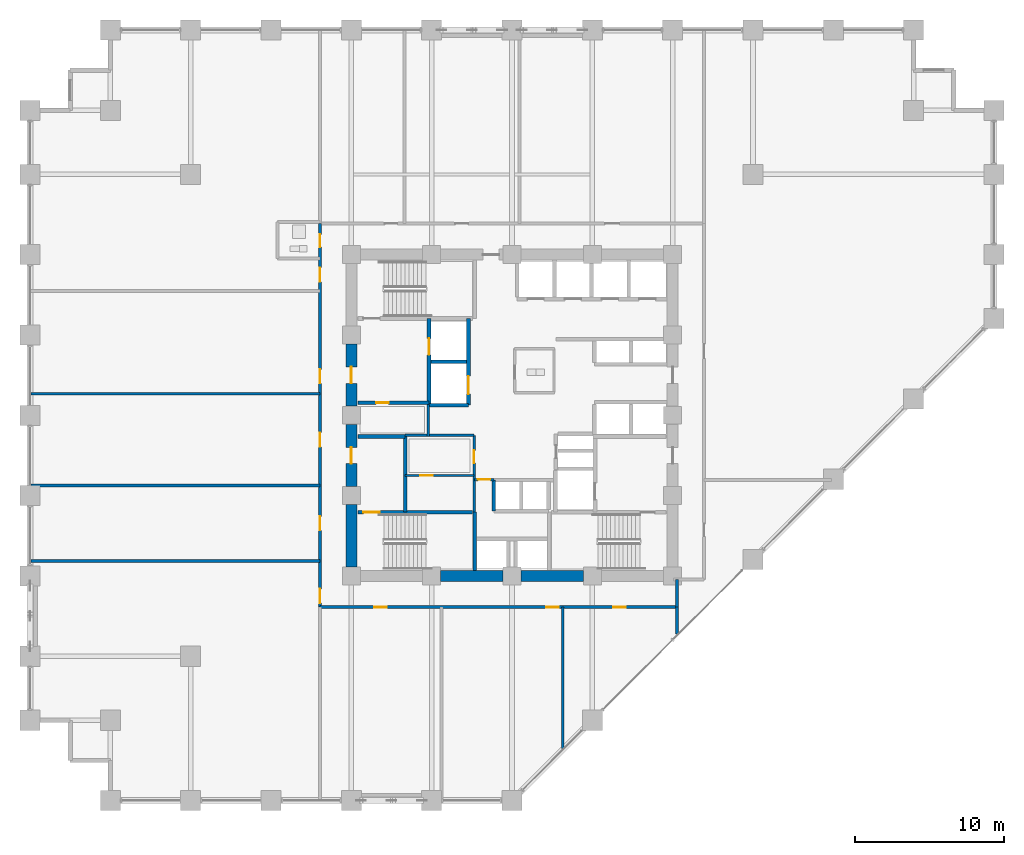
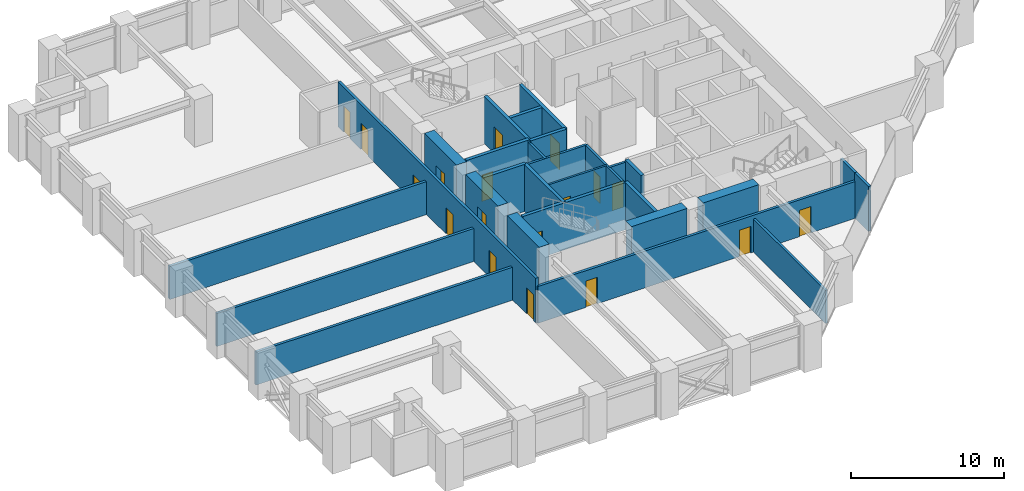
# One storey, part 20 of 24: 28 walls, 18 doors, 18 openings.
"""IFC4 building model written with IfcOpenShell, lengths in metres."""

from ifc_helpers import new_model, si_unit, direction, frame, frame_2d, origin, place, context, subcontext, project, spatial, rectangle, extrude, material, layer, layer_set, type_object, element, fill, save


model = new_model("IFC4")

# Units and contexts
model_context = context("Model", 3, precision=1e-05, world=origin(), true_north=direction((0.0, 1.0)))
body_context = subcontext(model_context, "Body", "Model", "MODEL_VIEW")
ifc_project = project(units=[si_unit("LENGTHUNIT", "METRE"), si_unit("AREAUNIT", "SQUARE_METRE"), si_unit("VOLUMEUNIT", "CUBIC_METRE"), si_unit("PLANEANGLEUNIT", "RADIAN"), si_unit("MASSUNIT", "GRAM", prefix="KILO")], contexts=[model_context])

# Site, building, storey
site_placement = place(None, origin())
site = spatial("IfcSite", under=ifc_project, at=site_placement, CompositionType="ELEMENT")
building_placement = place(site_placement, origin())
building = spatial("IfcBuilding", under=site, at=building_placement, Name="Surkhivell Harbour Commons", CompositionType="ELEMENT")
storey_placement = place(building_placement, frame((0.0, 0.0, 26.25)))
storey = spatial("IfcBuildingStorey", under=building, at=storey_placement, Name="L06", CompositionType="ELEMENT", Elevation=26.25)

# Walls
ifc_material_1 = material(Name="Concrete C60/75", Category="concrete")
ifc_layer_1 = layer(ifc_material_1, 0.75)
ifc_layer_set_1 = layer_set([ifc_layer_1], Name="Concrete C60/75")
wall_type_1 = type_object("IfcWallType", Name="WAL-CORE-750", PredefinedType="SHEAR", material=ifc_layer_set_1)
for number, where, z_axis, x_axis, name in (
    (1, (-10.800048828125, -10.18994140625, 0.0), (0.0, 0.0, 1.0), (0.0, 1.0, 0.0), "L06 Core Shear Wall West 1"),
    (2, (-4.7900390625, -10.800048828125, 0.0), (0.0, 0.0, 1.0), (1.0, 0.0, 0.0), "L06 Core Shear Wall South 2"),
):
    element("IfcWall", number, at=place(storey_placement, frame(where, z_axis=z_axis, x_axis=x_axis)), inside=storey, type_object=wall_type_1, Name=name, PredefinedType="SHEAR", context=body_context, shape_type="SweptSolid", body=[
        extrude(rectangle(XDim=4.179931640625, YDim=0.75, at=frame_2d((2.08984375, 0.0))), origin(), (0.0, 0.0, 1.0), 3.75),
    ])

# Wall, opening, door
wall_1_placement = place(storey_placement, frame((-10.800048828125, -4.7900390625, 0.0), z_axis=(0.0, 0.0, 1.0), x_axis=(0.0, 1.0, 0.0)))
wall_1 = element("IfcWall", 3, at=wall_1_placement, inside=storey, type_object=wall_type_1, Name="L06 Core Shear Wall West 2", PredefinedType="SHEAR", context=body_context, shape_type="SweptSolid", body=[
    extrude(rectangle(XDim=4.179931640625, YDim=0.75, at=frame_2d((2.08984375, 0.0))), origin(), (0.0, 0.0, 1.0), 3.75),
])
opening_1_placement = place(wall_1_placement, frame((1.5400390625, 0.0, 0.0)))
opening_1 = element("IfcOpeningElement", 4, at=opening_1_placement, cuts=wall_1, Name="Opening ID-2", PredefinedType="OPENING", context=body_context, shape_type="SweptSolid", body=[
    extrude(rectangle(XDim=1.10009765625, YDim=2.10009765625, at=frame_2d((0.550048828125, 1.050048828125))), frame((0.0, 0.385009765625, 0.0), z_axis=(0.0, -1.0, 0.0), x_axis=(1.0, 0.0, 0.0)), (0.0, 0.0, 1.0), 0.77001953125),
])
ifc_material_2 = material(Name="Hardwood-veneered fire-rated door leaf", Category="wood")
door_type_1 = type_object("IfcDoorType", Name="DOR-FD60-1100", OperationType="NOTDEFINED", PredefinedType="DOOR", material=ifc_material_2)
door_1_placement = place(opening_1_placement, origin())
door_1 = element("IfcDoor", 5, at=door_1_placement, inside=storey, type_object=door_type_1, Name="L06 Stair 3 Lobby Corridor Door", OperationType="SINGLE_SWING_LEFT", OverallHeight=2.10009765625, OverallWidth=1.10009765625, PredefinedType="DOOR", context=body_context, shape_type="SweptSolid", body=[
    extrude(rectangle(XDim=1.10009765625, YDim=2.10009765625, at=frame_2d((0.550048828125, 1.050048828125))), frame((0.0, 0.02490234375, 0.0), z_axis=(0.0, -1.0, 0.0), x_axis=(1.0, 0.0, 0.0)), (0.0, 0.0, 1.0), 0.050048828125),
])
fill(opening_1, door_1)

# Wall
wall_2_placement = place(storey_placement, frame((0.610107421875, -10.800048828125, 0.0), z_axis=(0.0, 0.0, 1.0), x_axis=(1.0, 0.0, 0.0)))
element("IfcWall", 6, at=wall_2_placement, inside=storey, type_object=wall_type_1, Name="L06 Core Shear Wall South 3", PredefinedType="SHEAR", context=body_context, shape_type="SweptSolid", body=[
    extrude(rectangle(XDim=4.179931640625, YDim=0.75, at=frame_2d((2.08984375, 0.0))), origin(), (0.0, 0.0, 1.0), 3.75),
])

# Wall, opening, door
wall_3_placement = place(storey_placement, frame((-10.800048828125, 0.610107421875, 0.0), z_axis=(0.0, 0.0, 1.0), x_axis=(0.0, 1.0, 0.0)))
wall_3 = element("IfcWall", 7, at=wall_3_placement, inside=storey, type_object=wall_type_1, Name="L06 Core Shear Wall West 3", PredefinedType="SHEAR", context=body_context, shape_type="SweptSolid", body=[
    extrude(rectangle(XDim=4.179931640625, YDim=0.75, at=frame_2d((2.08984375, 0.0))), origin(), (0.0, 0.0, 1.0), 3.75),
])
opening_2_placement = place(wall_3_placement, frame((1.5400390625, 0.0, 0.0)))
opening_2 = element("IfcOpeningElement", 8, at=opening_2_placement, cuts=wall_3, Name="Opening ID-1", PredefinedType="OPENING", context=body_context, shape_type="SweptSolid", body=[
    extrude(rectangle(XDim=1.10009765625, YDim=2.10009765625, at=frame_2d((0.550048828125, 1.050048828125))), frame((0.0, 0.385009765625, 0.0), z_axis=(0.0, -1.0, 0.0), x_axis=(1.0, 0.0, 0.0)), (0.0, 0.0, 1.0), 0.77001953125),
])
door_type_2 = type_object("IfcDoorType", Name="DOR-FD120-1100", OperationType="NOTDEFINED", PredefinedType="DOOR", material=ifc_material_2)
door_2_placement = place(opening_2_placement, origin())
door_2 = element("IfcDoor", 9, at=door_2_placement, inside=storey, type_object=door_type_2, Name="L06 Firefighting Lobby 1 Corridor Door", OperationType="SINGLE_SWING_LEFT", OverallHeight=2.10009765625, OverallWidth=1.10009765625, PredefinedType="DOOR", context=body_context, shape_type="SweptSolid", body=[
    extrude(rectangle(XDim=1.10009765625, YDim=2.10009765625, at=frame_2d((0.550048828125, 1.050048828125))), frame((0.0, 0.02490234375, 0.0), z_axis=(0.0, -1.0, 0.0), x_axis=(1.0, 0.0, 0.0)), (0.0, 0.0, 1.0), 0.050048828125),
])
fill(opening_2, door_2)

ifc_material_3 = material(Name="Twin-stud acoustic fireboard partition", Category="other")
ifc_layer_2 = layer(ifc_material_3, 0.14990234375)
ifc_layer_set_2 = layer_set([ifc_layer_2], Name="Twin-stud acoustic fireboard partition")
wall_type_2 = type_object("IfcWallType", Name="WAL-INT-150", PredefinedType="PARTITIONING", material=ifc_layer_set_2)
wall_4_placement = place(storey_placement, frame((-7.179931640625, -4.050048828125, 0.0), z_axis=(0.0, 0.0, 1.0), x_axis=(1.0, 0.0, 0.0)))
wall_4 = element("IfcWall", 10, at=wall_4_placement, inside=storey, type_object=wall_type_2, Name="L06 Core Cut A Partition", PredefinedType="PARTITIONING", context=body_context, shape_type="SweptSolid", body=[
    extrude(rectangle(XDim=4.6298828125, YDim=0.14990234375, at=frame_2d((2.31494140625, 0.0))), origin(), (0.0, 0.0, 1.0), 3.570068359375),
])
opening_3_placement = place(wall_4_placement, frame((1.0, 0.0, 0.0)))
opening_3 = element("IfcOpeningElement", 11, at=opening_3_placement, cuts=wall_4, Name="Opening ID-6", PredefinedType="OPENING", context=body_context, shape_type="SweptSolid", body=[
    extrude(rectangle(XDim=0.85009765625, YDim=2.10009765625, at=frame_2d((0.425048828125, 1.050048828125))), frame((0.0, 0.0849609375, 0.0), z_axis=(0.0, -1.0, 0.0), x_axis=(1.0, 0.0, 0.0)), (0.0, 0.0, 1.0), 0.169921875),
])
door_type_3 = type_object("IfcDoorType", Name="DOR-FD30-850", OperationType="NOTDEFINED", PredefinedType="DOOR", material=ifc_material_2)
door_3_placement = place(opening_3_placement, origin())
door_3 = element("IfcDoor", 12, at=door_3_placement, inside=storey, type_object=door_type_3, Name="L06 Linen Room Door", OperationType="SINGLE_SWING_RIGHT", OverallHeight=2.10009765625, OverallWidth=0.85009765625, PredefinedType="DOOR", context=body_context, shape_type="SweptSolid", body=[
    extrude(rectangle(XDim=0.85009765625, YDim=2.10009765625, at=frame_2d((0.425048828125, 1.050048828125))), frame((0.0, 0.02490234375, 0.0), z_axis=(0.0, -1.0, 0.0), x_axis=(1.0, 0.0, 0.0)), (0.0, 0.0, 1.0), 0.050048828125),
])
fill(opening_3, door_3)

ifc_material_4 = material(Name="High-density acoustic blockwork fire partition", Category="masonry")
ifc_layer_3 = layer(ifc_material_4, 0.175048828125)
ifc_layer_set_3 = layer_set([ifc_layer_3], Name="High-density acoustic blockwork fire partition")
wall_type_3 = type_object("IfcWallType", Name="WAL-INT-175", PredefinedType="PARTITIONING", material=ifc_layer_set_3)
wall_5_placement = place(storey_placement, frame((-2.550048828125, -6.510009765625, 0.0), z_axis=(0.0, 0.0, 1.0), x_axis=(0.0, 1.0, 0.0)))
wall_5 = element("IfcWall", 13, at=wall_5_placement, inside=storey, type_object=wall_type_3, Name="L06 Core Service Bay East Wall", PredefinedType="PARTITIONING", context=body_context, shape_type="SweptSolid", body=[
    extrude(rectangle(XDim=5.159912109375, YDim=0.175048828125, at=frame_2d((2.580078125, 0.0))), origin(), (0.0, 0.0, 1.0), 3.570068359375),
])
opening_4_placement = place(wall_5_placement, frame((3.300048828125, 0.0, 0.0)))
opening_4 = element("IfcOpeningElement", 14, at=opening_4_placement, cuts=wall_5, Name="Opening ID-6", PredefinedType="OPENING", context=body_context, shape_type="SweptSolid", body=[
    extrude(rectangle(XDim=0.85009765625, YDim=2.10009765625, at=frame_2d((0.425048828125, 1.050048828125))), frame((0.0, 0.097412109375, 0.0), z_axis=(0.0, -1.0, 0.0), x_axis=(1.0, 0.0, 0.0)), (0.0, 0.0, 1.0), 0.195068359375),
])
door_4_placement = place(opening_4_placement, origin())
door_4 = element("IfcDoor", 15, at=door_4_placement, inside=storey, type_object=door_type_3, Name="L06 Core Reading Alcove Door", OperationType="SINGLE_SWING_LEFT", OverallHeight=2.10009765625, OverallWidth=0.85009765625, PredefinedType="DOOR", context=body_context, shape_type="SweptSolid", body=[
    extrude(rectangle(XDim=0.85009765625, YDim=2.10009765625, at=frame_2d((0.425048828125, 1.050048828125))), frame((0.0, 0.02490234375, 0.0), z_axis=(0.0, -1.0, 0.0), x_axis=(1.0, 0.0, 0.0)), (0.0, 0.0, 1.0), 0.050048828125),
])
fill(opening_4, door_4)

# Walls
wall_6_placement = place(storey_placement, frame((-7.179931640625, -1.35009765625, 0.0), z_axis=(0.0, 0.0, 1.0), x_axis=(1.0, 0.0, 0.0)))
element("IfcWall", 16, at=wall_6_placement, inside=storey, type_object=wall_type_3, Name="L06 Core Service Bay North Wall", PredefinedType="PARTITIONING", context=body_context, shape_type="SweptSolid", body=[
    extrude(rectangle(XDim=4.6298828125, YDim=0.175048828125, at=frame_2d((2.31494140625, 0.0))), origin(), (0.0, 0.0, 1.0), 3.570068359375),
])
wall_7_placement = place(storey_placement, frame((-5.6201171875, -1.419921875, 0.0), z_axis=(0.0, 0.0, 1.0), x_axis=(0.0, 1.0, 0.0)))
element("IfcWall", 17, at=wall_7_placement, inside=storey, type_object=wall_type_3, Name="L06 West Core Bay East Wall", PredefinedType="PARTITIONING", context=body_context, shape_type="SweptSolid", body=[
    extrude(rectangle(XDim=2.139892578125, YDim=0.175048828125, at=frame_2d((1.06982421875, 0.0))), origin(), (0.0, 0.0, 1.0), 3.570068359375),
])

# Wall, opening, door
wall_8_placement = place(storey_placement, frame((-2.52001953125, -4.320068359375, 0.0), z_axis=(0.0, 0.0, 1.0), x_axis=(1.0, 0.0, 0.0)))
wall_8 = element("IfcWall", 18, at=wall_8_placement, inside=storey, type_object=wall_type_3, Name="L06 High-Rise Lobby North Portal Wall", PredefinedType="PARTITIONING", context=body_context, shape_type="SweptSolid", body=[
    extrude(rectangle(XDim=1.300048828125, YDim=0.175048828125, at=frame_2d((0.64990234375, 0.0))), origin(), (0.0, 0.0, 1.0), 3.570068359375),
])
opening_5_placement = place(wall_8_placement, frame((0.219970703125, 0.0, 0.0)))
opening_5 = element("IfcOpeningElement", 19, at=opening_5_placement, cuts=wall_8, Name="Opening ID-6", PredefinedType="OPENING", context=body_context, shape_type="SweptSolid", body=[
    extrude(rectangle(XDim=0.85009765625, YDim=2.10009765625, at=frame_2d((0.425048828125, 1.050048828125))), frame((0.0, 0.097412109375, 0.0), z_axis=(0.0, -1.0, 0.0), x_axis=(1.0, 0.0, 0.0)), (0.0, 0.0, 1.0), 0.195068359375),
])
door_5_placement = place(opening_5_placement, origin())
door_5 = element("IfcDoor", 20, at=door_5_placement, inside=storey, type_object=door_type_3, Name="L06 High-Rise Lift Lobby North Door", OperationType="SINGLE_SWING_LEFT", OverallHeight=2.10009765625, OverallWidth=0.85009765625, PredefinedType="DOOR", context=body_context, shape_type="SweptSolid", body=[
    extrude(rectangle(XDim=0.85009765625, YDim=2.10009765625, at=frame_2d((0.425048828125, 1.050048828125))), frame((0.0, 0.02490234375, 0.0), z_axis=(0.0, -1.0, 0.0), x_axis=(1.0, 0.0, 0.0)), (0.0, 0.0, 1.0), 0.050048828125),
])
fill(opening_5, door_5)

# Walls
wall_9_placement = place(storey_placement, frame((3.419921875, -22.395263671875, 0.0), z_axis=(0.0, 0.0, 1.0), x_axis=(0.0, 1.0, 0.0)))
element("IfcWall", 21, at=wall_9_placement, inside=storey, type_object=wall_type_3, Name="L06 South Partition P2", PredefinedType="PARTITIONING", context=body_context, shape_type="SweptSolid", body=[
    extrude(rectangle(XDim=9.495361328125, YDim=0.175048828125, at=frame_2d((4.74755859375, 0.0))), origin(), (0.0, 0.0, 1.0), 2.62890625),
])
ifc_material_5 = material(Name="Autoclaved aerated concrete blockwork and fire plaster", Category="masonry")
ifc_layer_4 = layer(ifc_material_5, 0.199951171875)
ifc_layer_set_4 = layer_set([ifc_layer_4], Name="Autoclaved aerated concrete blockwork and fire plaster")
wall_type_4 = type_object("IfcWallType", Name="WAL-INT-200", PredefinedType="PARTITIONING", material=ifc_layer_set_4)
wall_10_placement = place(storey_placement, frame((11.10009765625, -14.715087890625, 0.0), z_axis=(0.0, 0.0, 1.0), x_axis=(0.0, 1.0, 0.0)))
element("IfcWall", 22, at=wall_10_placement, inside=storey, type_object=wall_type_4, Name="L06 South-East Wing Corner Divider", PredefinedType="PARTITIONING", context=body_context, shape_type="SweptSolid", body=[
    extrude(rectangle(XDim=1.815185546875, YDim=0.199951171875, at=frame_2d((0.90771484375, 0.0))), origin(), (0.0, 0.0, 1.0), 3.570068359375),
])

# Wall, openings, doors
wall_11_placement = place(storey_placement, frame((-12.89990234375, -12.89990234375, 0.0), z_axis=(0.0, 0.0, 1.0), x_axis=(1.0, 0.0, 0.0)))
wall_11 = element("IfcWall", 23, at=wall_11_placement, inside=storey, type_object=wall_type_4, Name="L06 Corridor South Wall", PredefinedType="PARTITIONING", context=body_context, shape_type="SweptSolid", body=[
    extrude(rectangle(XDim=24.0, YDim=0.199951171875, at=frame_2d((12.0, 0.0))), origin(), (0.0, 0.0, 1.0), 2.929931640625),
])
opening_6_placement = place(wall_11_placement, frame((3.6298828125, 0.0, 0.0)))
opening_6 = element("IfcOpeningElement", 24, at=opening_6_placement, cuts=wall_11, Name="Opening ID-6", PredefinedType="OPENING", context=body_context, shape_type="SweptSolid", body=[
    extrude(rectangle(XDim=0.85009765625, YDim=2.10009765625, at=frame_2d((0.425048828125, 1.050048828125))), frame((0.0, 0.10986328125, 0.0), z_axis=(0.0, -1.0, 0.0), x_axis=(1.0, 0.0, 0.0)), (0.0, 0.0, 1.0), 0.219970703125),
])
opening_7_placement = place(wall_11_placement, frame((15.18994140625, 0.0, 0.0)))
opening_7 = element("IfcOpeningElement", 25, at=opening_7_placement, cuts=wall_11, Name="Opening ID-6", PredefinedType="OPENING", context=body_context, shape_type="SweptSolid", body=[
    extrude(rectangle(XDim=0.85009765625, YDim=2.10009765625, at=frame_2d((0.425048828125, 1.050048828125))), frame((0.0, 0.10986328125, 0.0), z_axis=(0.0, -1.0, 0.0), x_axis=(1.0, 0.0, 0.0)), (0.0, 0.0, 1.0), 0.219970703125),
])
opening_8_placement = place(wall_11_placement, frame((19.7099609375, 0.0, 0.0)))
opening_8 = element("IfcOpeningElement", 26, at=opening_8_placement, cuts=wall_11, Name="Opening ID-6", PredefinedType="OPENING", context=body_context, shape_type="SweptSolid", body=[
    extrude(rectangle(XDim=0.85009765625, YDim=2.10009765625, at=frame_2d((0.425048828125, 1.050048828125))), frame((0.0, 0.10986328125, 0.0), z_axis=(0.0, -1.0, 0.0), x_axis=(1.0, 0.0, 0.0)), (0.0, 0.0, 1.0), 0.219970703125),
])
door_6_placement = place(opening_6_placement, origin())
door_6 = element("IfcDoor", 27, at=door_6_placement, inside=storey, type_object=door_type_3, Name="L06 Academic Seminar Room 1 South Door", OperationType="SINGLE_SWING_LEFT", OverallHeight=2.10009765625, OverallWidth=0.85009765625, PredefinedType="DOOR", context=body_context, shape_type="SweptSolid", body=[
    extrude(rectangle(XDim=0.85009765625, YDim=2.10009765625, at=frame_2d((0.425048828125, 1.050048828125))), frame((0.0, 0.02490234375, 0.0), z_axis=(0.0, -1.0, 0.0), x_axis=(1.0, 0.0, 0.0)), (0.0, 0.0, 1.0), 0.050048828125),
])
fill(opening_6, door_6)
door_7_placement = place(opening_7_placement, origin())
door_7 = element("IfcDoor", 28, at=door_7_placement, inside=storey, type_object=door_type_3, Name="L06 Academic Seminar Room 2 South Door", OperationType="SINGLE_SWING_RIGHT", OverallHeight=2.10009765625, OverallWidth=0.85009765625, PredefinedType="DOOR", context=body_context, shape_type="SweptSolid", body=[
    extrude(rectangle(XDim=0.85009765625, YDim=2.10009765625, at=frame_2d((0.425048828125, 1.050048828125))), frame((0.0, 0.02490234375, 0.0), z_axis=(0.0, -1.0, 0.0), x_axis=(1.0, 0.0, 0.0)), (0.0, 0.0, 1.0), 0.050048828125),
])
fill(opening_7, door_7)
door_8_placement = place(opening_8_placement, origin())
door_8 = element("IfcDoor", 29, at=door_8_placement, inside=storey, type_object=door_type_3, Name="L06 Academic Seminar Room 3 South Door", OperationType="SINGLE_SWING_LEFT", OverallHeight=2.10009765625, OverallWidth=0.85009765625, PredefinedType="DOOR", context=body_context, shape_type="SweptSolid", body=[
    extrude(rectangle(XDim=0.85009765625, YDim=2.10009765625, at=frame_2d((0.425048828125, 1.050048828125))), frame((0.0, 0.02490234375, 0.0), z_axis=(0.0, -1.0, 0.0), x_axis=(1.0, 0.0, 0.0)), (0.0, 0.0, 1.0), 0.050048828125),
])
fill(opening_8, door_8)

# Wall
wall_12_placement = place(storey_placement, frame((11.10009765625, -12.89990234375, 0.0), z_axis=(0.0, 0.0, 1.0), x_axis=(0.0, 1.0, 0.0)))
element("IfcWall", 30, at=wall_12_placement, inside=storey, type_object=wall_type_4, Name="L06 Corridor SE Closure Wall", PredefinedType="PARTITIONING", context=body_context, shape_type="SweptSolid", body=[
    extrude(rectangle(XDim=1.85986328125, YDim=0.199951171875, at=frame_2d((0.929931640625, 0.0))), origin(), (0.0, 0.0, 1.0), 3.570068359375),
])

# Wall, openings, doors
wall_13_placement = place(storey_placement, frame((-12.89990234375, -12.89990234375, 0.0), z_axis=(0.0, 0.0, 1.0), x_axis=(0.0, 1.0, 0.0)))
wall_13 = element("IfcWall", 31, at=wall_13_placement, inside=storey, type_object=wall_type_4, Name="L06 Corridor West Wall", PredefinedType="PARTITIONING", context=body_context, shape_type="SweptSolid", body=[
    extrude(rectangle(XDim=25.7998046875, YDim=0.199951171875, at=frame_2d((12.89990234375, 0.0))), origin(), (0.0, 0.0, 1.0), 3.570068359375),
])
opening_9_placement = place(wall_13_placement, frame((0.280029296875, 0.0, 0.0)))
opening_9 = element("IfcOpeningElement", 32, at=opening_9_placement, cuts=wall_13, Name="Opening ID-4", PredefinedType="OPENING", context=body_context, shape_type="SweptSolid", body=[
    extrude(rectangle(XDim=0.949951171875, YDim=2.10009765625, at=frame_2d((0.47509765625, 1.050048828125))), frame((0.0, 0.10986328125, 0.0), z_axis=(0.0, -1.0, 0.0), x_axis=(1.0, 0.0, 0.0)), (0.0, 0.0, 1.0), 0.219970703125),
])
opening_10_placement = place(wall_13_placement, frame((24.205078125, 0.0, 0.0)))
opening_10 = element("IfcOpeningElement", 33, at=opening_10_placement, cuts=wall_13, Name="Opening ID-6", PredefinedType="OPENING", context=body_context, shape_type="SweptSolid", body=[
    extrude(rectangle(XDim=0.85009765625, YDim=2.10009765625, at=frame_2d((0.425048828125, 1.050048828125))), frame((0.0, 0.10986328125, 0.0), z_axis=(0.0, -1.0, 0.0), x_axis=(1.0, 0.0, 0.0)), (0.0, 0.0, 1.0), 0.219970703125),
])
opening_11_placement = place(wall_13_placement, frame((21.8701171875, 0.0, 0.0)))
opening_11 = element("IfcOpeningElement", 34, at=opening_11_placement, cuts=wall_13, Name="Opening ID-4", PredefinedType="OPENING", context=body_context, shape_type="SweptSolid", body=[
    extrude(rectangle(XDim=0.949951171875, YDim=2.10009765625, at=frame_2d((0.47509765625, 1.050048828125))), frame((0.0, 0.10986328125, 0.0), z_axis=(0.0, -1.0, 0.0), x_axis=(1.0, 0.0, 0.0)), (0.0, 0.0, 1.0), 0.219970703125),
])
opening_12_placement = place(wall_13_placement, frame((5.159912109375, 0.0, 0.0)))
opening_12 = element("IfcOpeningElement", 35, at=opening_12_placement, cuts=wall_13, Name="Opening ID-4", PredefinedType="OPENING", context=body_context, shape_type="SweptSolid", body=[
    extrude(rectangle(XDim=0.949951171875, YDim=2.10009765625, at=frame_2d((0.47509765625, 1.050048828125))), frame((0.0, 0.10986328125, 0.0), z_axis=(0.0, -1.0, 0.0), x_axis=(1.0, 0.0, 0.0)), (0.0, 0.0, 1.0), 0.219970703125),
])
opening_13_placement = place(wall_13_placement, frame((10.784912109375, 0.0, 0.0)))
opening_13 = element("IfcOpeningElement", 36, at=opening_13_placement, cuts=wall_13, Name="Opening ID-4", PredefinedType="OPENING", context=body_context, shape_type="SweptSolid", body=[
    extrude(rectangle(XDim=0.949951171875, YDim=2.10009765625, at=frame_2d((0.47509765625, 1.050048828125))), frame((0.0, 0.10986328125, 0.0), z_axis=(0.0, -1.0, 0.0), x_axis=(1.0, 0.0, 0.0)), (0.0, 0.0, 1.0), 0.219970703125),
])
opening_14_placement = place(wall_13_placement, frame((15.044677734375, 0.0, 0.0)))
opening_14 = element("IfcOpeningElement", 37, at=opening_14_placement, cuts=wall_13, Name="Opening ID-4", PredefinedType="OPENING", context=body_context, shape_type="SweptSolid", body=[
    extrude(rectangle(XDim=0.949951171875, YDim=2.10009765625, at=frame_2d((0.47509765625, 1.050048828125))), frame((0.0, 0.10986328125, 0.0), z_axis=(0.0, -1.0, 0.0), x_axis=(1.0, 0.0, 0.0)), (0.0, 0.0, 1.0), 0.219970703125),
])
door_9_placement = place(opening_10_placement, origin())
door_9 = element("IfcDoor", 38, at=door_9_placement, inside=storey, type_object=door_type_3, Name="L06 Communal Shower Bathroom West Door", OperationType="SINGLE_SWING_LEFT", OverallHeight=2.10009765625, OverallWidth=0.85009765625, PredefinedType="DOOR", context=body_context, shape_type="SweptSolid", body=[
    extrude(rectangle(XDim=0.85009765625, YDim=2.10009765625, at=frame_2d((0.425048828125, 1.050048828125))), frame((0.0, 0.02490234375, 0.0), z_axis=(0.0, -1.0, 0.0), x_axis=(1.0, 0.0, 0.0)), (0.0, 0.0, 1.0), 0.050048828125),
])
fill(opening_10, door_9)
door_type_4 = type_object("IfcDoorType", Name="DOR-FD60-950", OperationType="NOTDEFINED", PredefinedType="DOOR", material=ifc_material_2)
door_10_placement = place(opening_9_placement, origin())
door_10 = element("IfcDoor", 39, at=door_10_placement, inside=storey, type_object=door_type_4, Name="L06 Shared Communal Kitchen West Door", OperationType="SINGLE_SWING_RIGHT", OverallHeight=2.10009765625, OverallWidth=0.949951171875, PredefinedType="DOOR", context=body_context, shape_type="SweptSolid", body=[
    extrude(rectangle(XDim=0.949951171875, YDim=2.10009765625, at=frame_2d((0.47509765625, 1.050048828125))), frame((0.0, 0.02490234375, 0.0), z_axis=(0.0, -1.0, 0.0), x_axis=(1.0, 0.0, 0.0)), (0.0, 0.0, 1.0), 0.050048828125),
])
fill(opening_9, door_10)
door_11_placement = place(opening_11_placement, origin())
door_11 = element("IfcDoor", 40, at=door_11_placement, inside=storey, type_object=door_type_4, Name="L06 Academic Reading Commons West Door", OperationType="SINGLE_SWING_RIGHT", OverallHeight=2.10009765625, OverallWidth=0.949951171875, PredefinedType="DOOR", context=body_context, shape_type="SweptSolid", body=[
    extrude(rectangle(XDim=0.949951171875, YDim=2.10009765625, at=frame_2d((0.47509765625, 1.050048828125))), frame((0.0, 0.02490234375, 0.0), z_axis=(0.0, -1.0, 0.0), x_axis=(1.0, 0.0, 0.0)), (0.0, 0.0, 1.0), 0.050048828125),
])
fill(opening_11, door_11)
door_12_placement = place(opening_12_placement, origin())
door_12 = element("IfcDoor", 41, at=door_12_placement, inside=storey, type_object=door_type_4, Name="L06 Hostel Cluster Bedroom 1 West Door", OperationType="SINGLE_SWING_LEFT", OverallHeight=2.10009765625, OverallWidth=0.949951171875, PredefinedType="DOOR", context=body_context, shape_type="SweptSolid", body=[
    extrude(rectangle(XDim=0.949951171875, YDim=2.10009765625, at=frame_2d((0.47509765625, 1.050048828125))), frame((0.0, 0.02490234375, 0.0), z_axis=(0.0, -1.0, 0.0), x_axis=(1.0, 0.0, 0.0)), (0.0, 0.0, 1.0), 0.050048828125),
])
fill(opening_12, door_12)
door_13_placement = place(opening_13_placement, origin())
door_13 = element("IfcDoor", 42, at=door_13_placement, inside=storey, type_object=door_type_4, Name="L06 Co-Living Dormitory Bedroom 2 West Door", OperationType="SINGLE_SWING_RIGHT", OverallHeight=2.10009765625, OverallWidth=0.949951171875, PredefinedType="DOOR", context=body_context, shape_type="SweptSolid", body=[
    extrude(rectangle(XDim=0.949951171875, YDim=2.10009765625, at=frame_2d((0.47509765625, 1.050048828125))), frame((0.0, 0.02490234375, 0.0), z_axis=(0.0, -1.0, 0.0), x_axis=(1.0, 0.0, 0.0)), (0.0, 0.0, 1.0), 0.050048828125),
])
fill(opening_13, door_13)
door_14_placement = place(opening_14_placement, origin())
door_14 = element("IfcDoor", 43, at=door_14_placement, inside=storey, type_object=door_type_4, Name="L06 Hostel Cluster Bedroom 3 West Door", OperationType="SINGLE_SWING_LEFT", OverallHeight=2.10009765625, OverallWidth=0.949951171875, PredefinedType="DOOR", context=body_context, shape_type="SweptSolid", body=[
    extrude(rectangle(XDim=0.949951171875, YDim=2.10009765625, at=frame_2d((0.47509765625, 1.050048828125))), frame((0.0, 0.02490234375, 0.0), z_axis=(0.0, -1.0, 0.0), x_axis=(1.0, 0.0, 0.0)), (0.0, 0.0, 1.0), 0.050048828125),
])
fill(opening_14, door_14)

# Walls
for number, where, z_axis, x_axis, name in (
    (44, (-32.340087890625, -4.719970703125, 0.0), (0.0, 0.0, 1.0), (1.0, 0.0, 0.0), "L06 West Partition BDP1"),
    (45, (-32.340087890625, 1.449951171875, 0.0), (0.0, 0.0, 1.0), (1.0, 0.0, 0.0), "L06 West Partition BDP2"),
    (46, (-32.340087890625, -9.800048828125, 0.0), (0.0, 0.0, 1.0), (1.0, 0.0, 0.0), "L06 West Partition PBOT"),
):
    element("IfcWall", number, at=place(storey_placement, frame(where, z_axis=z_axis, x_axis=x_axis)), inside=storey, type_object=wall_type_4, Name=name, PredefinedType="PARTITIONING", context=body_context, shape_type="SweptSolid", body=[
        extrude(rectangle(XDim=19.440185546875, YDim=0.199951171875, at=frame_2d((9.72021484375, 0.0))), origin(), (0.0, 0.0, 1.0), 2.62890625),
    ])

# Wall, opening, door
ifc_material_6 = material(Name="Concrete C50/60", Category="concrete")
ifc_layer_5 = layer(ifc_material_6, 0.25)
ifc_layer_set_5 = layer_set([ifc_layer_5], Name="Concrete C50/60")
wall_type_5 = type_object("IfcWallType", Name="WAL-SHAFT-250", PredefinedType="SHEAR", material=ifc_layer_set_5)
wall_14_placement = place(storey_placement, frame((-5.580078125, 0.719970703125, 0.0), z_axis=(0.0, 0.0, 1.0), x_axis=(0.0, 1.0, 0.0)))
wall_14 = element("IfcWall", 47, at=wall_14_placement, inside=storey, type_object=wall_type_5, Name="L06 Firefighting Lobby 1 East Shaft Wall", PredefinedType="SHEAR", context=body_context, shape_type="SweptSolid", body=[
    extrude(rectangle(XDim=5.7900390625, YDim=0.25, at=frame_2d((2.89501953125, 0.0))), origin(), (0.0, 0.0, 1.0), 3.75),
])
opening_15_placement = place(wall_14_placement, frame((3.35009765625, 0.0, 0.0)))
opening_15 = element("IfcOpeningElement", 48, at=opening_15_placement, cuts=wall_14, Name="Opening LD-1", PredefinedType="OPENING", context=body_context, shape_type="SweptSolid", body=[
    extrude(rectangle(XDim=1.10009765625, YDim=2.10009765625, at=frame_2d((0.550048828125, 1.050048828125))), frame((0.0, 0.135009765625, 0.0), z_axis=(0.0, -1.0, 0.0), x_axis=(1.0, 0.0, 0.0)), (0.0, 0.0, 1.0), 0.27001953125),
])
ifc_material_7 = material(Name="Brushed stainless steel S355", Category="steel")
door_type_5 = type_object("IfcDoorType", Name="DOR-LD-1100", OperationType="SLIDING_TO_LEFT", PredefinedType="DOOR", material=ifc_material_7)
door_15_placement = place(opening_15_placement, origin())
door_15 = element("IfcDoor", 49, at=door_15_placement, inside=storey, type_object=door_type_5, Name="L06 Lift Landing Door LD-FFL1", OperationType="SLIDING_TO_LEFT", OverallHeight=2.10009765625, OverallWidth=1.10009765625, PredefinedType="DOOR", context=body_context, shape_type="SweptSolid", body=[
    extrude(rectangle(XDim=1.10009765625, YDim=2.10009765625, at=frame_2d((0.550048828125, 1.050048828125))), frame((0.0, 0.02490234375, 0.0), z_axis=(0.0, -1.0, 0.0), x_axis=(1.0, 0.0, 0.0)), (0.0, 0.0, 1.0), 0.050048828125),
])
fill(opening_15, door_15)

wall_15_placement = place(storey_placement, frame((-10.340087890625, 0.85009765625, 0.0), z_axis=(0.0, 0.0, 1.0), x_axis=(1.0, 0.0, 0.0)))
wall_15 = element("IfcWall", 50, at=wall_15_placement, inside=storey, type_object=wall_type_5, Name="L06 Firefighting Lobby 1 South Wall", PredefinedType="SHEAR", context=body_context, shape_type="SweptSolid", body=[
    extrude(rectangle(XDim=4.760009765625, YDim=0.25, at=frame_2d((2.3798828125, 0.0))), origin(), (0.0, 0.0, 1.0), 3.75),
])
opening_16_placement = place(wall_15_placement, frame((1.199951171875, 0.0, 0.0)))
opening_16 = element("IfcOpeningElement", 51, at=opening_16_placement, cuts=wall_15, Name="Opening ID-6", PredefinedType="OPENING", context=body_context, shape_type="SweptSolid", body=[
    extrude(rectangle(XDim=0.85009765625, YDim=2.10009765625, at=frame_2d((0.425048828125, 1.050048828125))), frame((0.0, 0.135009765625, 0.0), z_axis=(0.0, -1.0, 0.0), x_axis=(1.0, 0.0, 0.0)), (0.0, 0.0, 1.0), 0.27001953125),
])
door_16_placement = place(opening_16_placement, origin())
door_16 = element("IfcDoor", 52, at=door_16_placement, inside=storey, type_object=door_type_3, Name="L06 West Quiet Study Door", OperationType="SINGLE_SWING_RIGHT", OverallHeight=2.10009765625, OverallWidth=0.85009765625, PredefinedType="DOOR", context=body_context, shape_type="SweptSolid", body=[
    extrude(rectangle(XDim=0.85009765625, YDim=2.10009765625, at=frame_2d((0.425048828125, 1.050048828125))), frame((0.0, 0.02490234375, 0.0), z_axis=(0.0, -1.0, 0.0), x_axis=(1.0, 0.0, 0.0)), (0.0, 0.0, 1.0), 0.050048828125),
])
fill(opening_16, door_16)

# Walls
wall_16_placement = place(storey_placement, frame((-1.219970703125, -6.43994140625, 0.0), z_axis=(0.0, 0.0, 1.0), x_axis=(0.0, 1.0, 0.0)))
element("IfcWall", 53, at=wall_16_placement, inside=storey, type_object=wall_type_5, Name="L06 High-Rise Passage East Shaft Wall", PredefinedType="SHEAR", context=body_context, shape_type="SweptSolid", body=[
    extrude(rectangle(XDim=2.079833984375, YDim=0.25, at=frame_2d((1.0400390625, 0.0))), origin(), (0.0, 0.0, 1.0), 3.75),
])
wall_17_placement = place(storey_placement, frame((-2.510009765625, -10.425048828125, 0.0), z_axis=(0.0, 0.0, 1.0), x_axis=(0.0, 1.0, 0.0)))
element("IfcWall", 54, at=wall_17_placement, inside=storey, type_object=wall_type_5, Name="L06 Stair ST3 East Shear Wall", PredefinedType="SHEAR", context=body_context, shape_type="SweptSolid", body=[
    extrude(rectangle(XDim=3.9150390625, YDim=0.25, at=frame_2d((1.95751953125, 0.0))), origin(), (0.0, 0.0, 1.0), 3.75),
])
wall_18_placement = place(storey_placement, frame((-7.179931640625, -6.510009765625, 0.0), z_axis=(0.0, 0.0, 1.0), x_axis=(0.0, 1.0, 0.0)))
element("IfcWall", 55, at=wall_18_placement, inside=storey, type_object=wall_type_5, Name="L06 Stair 3 Lobby East Wall", PredefinedType="SHEAR", context=body_context, shape_type="SweptSolid", body=[
    extrude(rectangle(XDim=5.090087890625, YDim=0.25, at=frame_2d((2.544921875, 0.0))), origin(), (0.0, 0.0, 1.0), 3.75),
])
wall_19_placement = place(storey_placement, frame((-10.340087890625, -1.419921875, 0.0), z_axis=(0.0, 0.0, 1.0), x_axis=(1.0, 0.0, 0.0)))
element("IfcWall", 56, at=wall_19_placement, inside=storey, type_object=wall_type_5, Name="L06 Stair 3 Lobby North Wall", PredefinedType="SHEAR", context=body_context, shape_type="SweptSolid", body=[
    extrude(rectangle(XDim=3.16015625, YDim=0.25, at=frame_2d((1.580078125, 0.0))), origin(), (0.0, 0.0, 1.0), 3.75),
])

# Wall, opening, door
wall_20_placement = place(storey_placement, frame((-10.340087890625, -6.510009765625, 0.0), z_axis=(0.0, 0.0, 1.0), x_axis=(1.0, 0.0, 0.0)))
wall_20 = element("IfcWall", 57, at=wall_20_placement, inside=storey, type_object=wall_type_5, Name="L06 Stair ST3 North Shear Wall", PredefinedType="SHEAR", context=body_context, shape_type="SweptSolid", body=[
    extrude(rectangle(XDim=7.7001953125, YDim=0.25, at=frame_2d((3.85009765625, 0.0))), origin(), (0.0, 0.0, 1.0), 3.75),
])
opening_17_placement = place(wall_20_placement, frame((0.35009765625, 0.0, 0.0)))
opening_17 = element("IfcOpeningElement", 58, at=opening_17_placement, cuts=wall_20, Name="Opening ID-2", PredefinedType="OPENING", context=body_context, shape_type="SweptSolid", body=[
    extrude(rectangle(XDim=1.10009765625, YDim=2.10009765625, at=frame_2d((0.550048828125, 1.050048828125))), frame((0.0, 0.135009765625, 0.0), z_axis=(0.0, -1.0, 0.0), x_axis=(1.0, 0.0, 0.0)), (0.0, 0.0, 1.0), 0.27001953125),
])
door_17_placement = place(opening_17_placement, origin())
door_17 = element("IfcDoor", 59, at=door_17_placement, inside=storey, type_object=door_type_1, Name="L06 Stair ST3 Exit Door", OperationType="SINGLE_SWING_RIGHT", OverallHeight=2.10009765625, OverallWidth=1.10009765625, PredefinedType="DOOR", context=body_context, shape_type="SweptSolid", body=[
    extrude(rectangle(XDim=1.10009765625, YDim=2.10009765625, at=frame_2d((0.550048828125, 1.050048828125))), frame((0.0, 0.02490234375, 0.0), z_axis=(0.0, -1.0, 0.0), x_axis=(1.0, 0.0, 0.0)), (0.0, 0.0, 1.0), 0.050048828125),
])
fill(opening_17, door_17)

wall_21_placement = place(storey_placement, frame((-2.929931640625, 0.679931640625, 0.0), z_axis=(0.0, 0.0, 1.0), x_axis=(0.0, 1.0, 0.0)))
wall_21 = element("IfcWall", 60, at=wall_21_placement, inside=storey, type_object=wall_type_5, Name="L06 Service and Fire Lift East Shaft Wall", PredefinedType="SHEAR", context=body_context, shape_type="SweptSolid", body=[
    extrude(rectangle(XDim=5.830078125, YDim=0.25, at=frame_2d((2.9150390625, 0.0))), origin(), (0.0, 0.0, 1.0), 3.75),
])
opening_18_placement = place(wall_21_placement, frame((0.75, 0.0, 0.0)))
opening_18 = element("IfcOpeningElement", 61, at=opening_18_placement, cuts=wall_21, Name="Opening LD-2", PredefinedType="OPENING", context=body_context, shape_type="SweptSolid", body=[
    extrude(rectangle(XDim=1.199951171875, YDim=2.10009765625, at=frame_2d((0.60009765625, 1.050048828125))), frame((0.0, 0.135009765625, 0.0), z_axis=(0.0, -1.0, 0.0), x_axis=(1.0, 0.0, 0.0)), (0.0, 0.0, 1.0), 0.27001953125),
])
door_type_6 = type_object("IfcDoorType", Name="DOR-LD-1200", OperationType="SLIDING_TO_LEFT", PredefinedType="DOOR", material=ifc_material_7)
door_18_placement = place(opening_18_placement, origin())
door_18 = element("IfcDoor", 62, at=door_18_placement, inside=storey, type_object=door_type_6, Name="L06 Lift Landing Door LD-SVL1", OperationType="SLIDING_TO_LEFT", OverallHeight=2.10009765625, OverallWidth=1.199951171875, PredefinedType="DOOR", context=body_context, shape_type="SweptSolid", body=[
    extrude(rectangle(XDim=1.199951171875, YDim=2.10009765625, at=frame_2d((0.60009765625, 1.050048828125))), frame((0.0, 0.02490234375, 0.0), z_axis=(0.0, -1.0, 0.0), x_axis=(1.0, 0.0, 0.0)), (0.0, 0.0, 1.0), 0.050048828125),
])
fill(opening_18, door_18)

# Walls
wall_22_placement = place(storey_placement, frame((-5.449951171875, 3.60009765625, 0.0), z_axis=(0.0, 0.0, 1.0), x_axis=(1.0, 0.0, 0.0)))
element("IfcWall", 63, at=wall_22_placement, inside=storey, type_object=wall_type_5, Name="L06 FFL1/SVL1 Shaft Divider", PredefinedType="SHEAR", context=body_context, shape_type="SweptSolid", body=[
    extrude(rectangle(XDim=2.389892578125, YDim=0.25, at=frame_2d((1.19482421875, 0.0))), origin(), (0.0, 0.0, 1.0), 3.75),
])
wall_23_placement = place(storey_placement, frame((-5.580078125, 0.679931640625, 0.0), z_axis=(0.0, 0.0, 1.0), x_axis=(1.0, 0.0, 0.0)))
element("IfcWall", 64, at=wall_23_placement, inside=storey, type_object=wall_type_5, Name="L06 SVL1 South Shaft Wall", PredefinedType="SHEAR", context=body_context, shape_type="SweptSolid", body=[
    extrude(rectangle(XDim=2.650146484375, YDim=0.25, at=frame_2d((1.3251953125, 0.0))), origin(), (0.0, 0.0, 1.0), 3.75),
])

save(model, "model.ifc")
